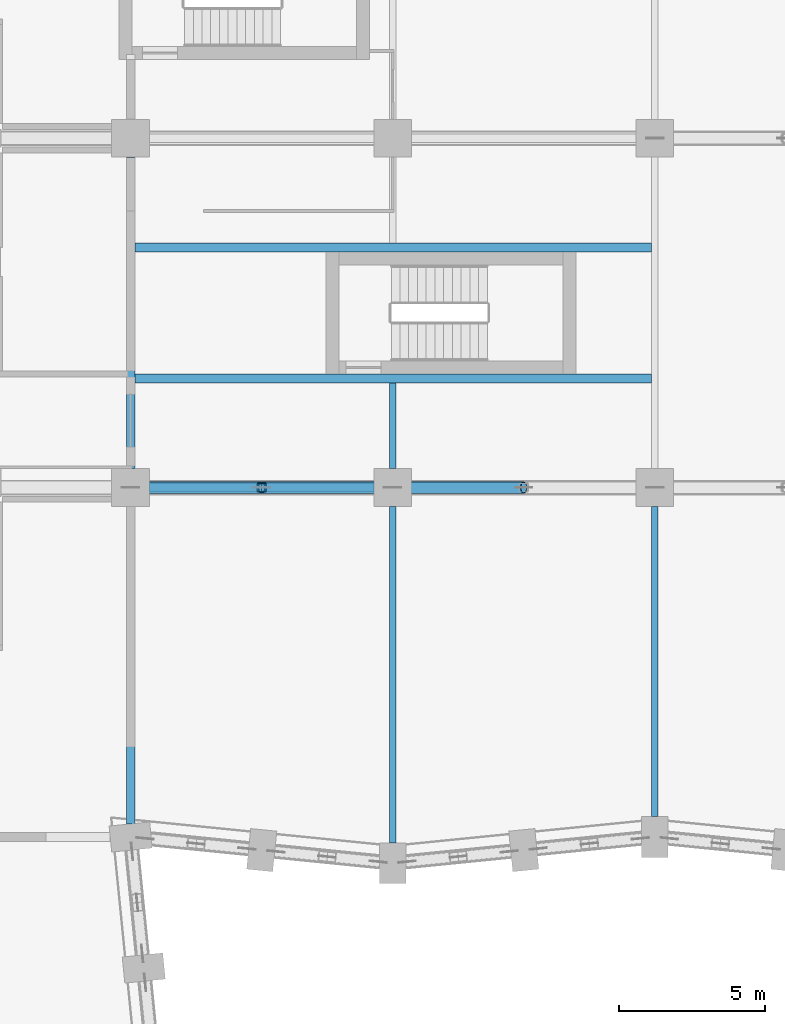
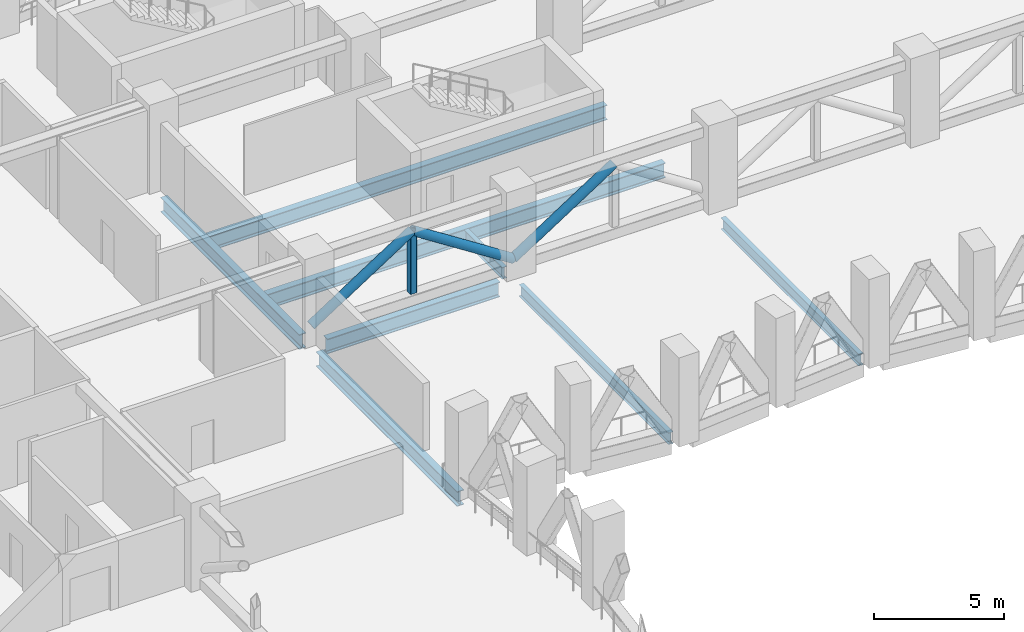
# One storey, part 7 of 25: 8 beams, 4 members.
"""IFC4 building model written with IfcOpenShell, lengths in metres."""

from ifc_helpers import new_model, si_unit, direction, frame, origin, origin_2d, place, context, subcontext, project, spatial, hollow_rectangle, hollow_circle, i_section, extrude, material, material_profile, profile_set, type_object, element, save


model = new_model("IFC4")

# Units and contexts
model_context = context("Model", 3, precision=1e-05, world=origin(), true_north=direction((0.0, 1.0)))
body_context = subcontext(model_context, "Body", "Model", "MODEL_VIEW")
ifc_project = project(units=[si_unit("LENGTHUNIT", "METRE"), si_unit("AREAUNIT", "SQUARE_METRE"), si_unit("VOLUMEUNIT", "CUBIC_METRE"), si_unit("PLANEANGLEUNIT", "RADIAN"), si_unit("MASSUNIT", "GRAM", prefix="KILO")], contexts=[model_context])

# Site, building, storey
site_placement = place(None, origin())
site = spatial("IfcSite", under=ifc_project, at=site_placement, CompositionType="ELEMENT")
building_placement = place(site_placement, origin())
building = spatial("IfcBuilding", under=site, at=building_placement, Name="Brondeck Convention Tower", CompositionType="ELEMENT")
storey_placement = place(building_placement, frame((0.0, 0.0, 84.300048828125)))
storey = spatial("IfcBuildingStorey", under=building, at=storey_placement, Name="L19", CompositionType="ELEMENT", Elevation=84.300048828125)

# Beams
ifc_material_1 = material(Name="Steel S355", Category="steel")
ifc_material_profile_1 = material_profile(ifc_material_1, i_section(OverallWidth=0.2099609375, OverallDepth=0.550048828125, WebThickness=0.010986328125, FlangeThickness=0.01708984375, FilletRadius=0.02392578125, at=origin_2d()), Name="IPE 550")
ifc_profile_set_1 = profile_set([ifc_material_profile_1], Name="Steel S355")
beam_type_1 = type_object("IfcBeamType", Name="Floor beam IPE 550", PredefinedType="BEAM", material=ifc_profile_set_1)
beam_1_placement = place(storey_placement, frame((45.0, 26.800048828125, -0.574951171875), z_axis=(0.0, 1.0, 0.0), x_axis=(-1.0, 0.0, 0.0)))
element("IfcBeam", 1, at=beam_1_placement, inside=storey, type_object=beam_type_1, Name="STR-FB-L19-001", PredefinedType="BEAM", context=body_context, shape_type="SweptSolid", body=[
    extrude(i_section(OverallWidth=0.2099609375, OverallDepth=0.550048828125, WebThickness=0.010986328125, FlangeThickness=0.01708984375, FilletRadius=0.02392578125, at=origin_2d()), origin(), (0.0, 0.0, 1.0), 11.550048828125),
])
beam_2_placement = place(storey_placement, frame((54.0, 27.699951171875, -0.574951171875), z_axis=(0.0, 1.0, 0.0), x_axis=(-1.0, 0.0, 0.0)))
element("IfcBeam", 2, at=beam_2_placement, inside=storey, type_object=beam_type_1, Name="STR-FB-L19-003", PredefinedType="BEAM", context=body_context, shape_type="SweptSolid", body=[
    extrude(i_section(OverallWidth=0.2099609375, OverallDepth=0.550048828125, WebThickness=0.010986328125, FlangeThickness=0.01708984375, FilletRadius=0.02392578125, at=origin_2d()), origin(), (0.0, 0.0, 1.0), 10.650146484375),
])
beam_3_placement = place(storey_placement, frame((45.0, 39.64990234375, -0.574951171875), z_axis=(0.0, 1.0, 0.0), x_axis=(-1.0, 0.0, 0.0)))
element("IfcBeam", 3, at=beam_3_placement, inside=storey, type_object=beam_type_1, Name="STR-FB-L19-014", PredefinedType="BEAM", context=body_context, shape_type="SweptSolid", body=[
    extrude(i_section(OverallWidth=0.2099609375, OverallDepth=0.550048828125, WebThickness=0.010986328125, FlangeThickness=0.01708984375, FilletRadius=0.02392578125, at=origin_2d()), origin(), (0.0, 0.0, 1.0), 2.9501953125),
])
ifc_material_profile_2 = material_profile(ifc_material_1, i_section(OverallWidth=0.300048828125, OverallDepth=0.699951171875, WebThickness=0.01708984375, FlangeThickness=0.031982421875, FilletRadius=0.027099609375, at=origin_2d()), Name="HEB 700")
ifc_profile_set_2 = profile_set([ifc_material_profile_2], Name="Steel S355")
beam_type_2 = type_object("IfcBeamType", Name="Girder HEB 700", PredefinedType="BEAM", material=ifc_profile_set_2)
beam_4_placement = place(storey_placement, frame((36.64990234375, 39.0, -0.650146484375), z_axis=(1.0, 0.0, 0.0), x_axis=(0.0, 1.0, 0.0)))
element("IfcBeam", 4, at=beam_4_placement, inside=storey, type_object=beam_type_2, Name="STR-GR-L19-001", PredefinedType="BEAM", context=body_context, shape_type="SweptSolid", body=[
    extrude(i_section(OverallWidth=0.300048828125, OverallDepth=0.699951171875, WebThickness=0.01708984375, FlangeThickness=0.031982421875, FilletRadius=0.027099609375, at=origin_2d()), origin(), (0.0, 0.0, 1.0), 7.7001953125),
])
beam_5_placement = place(storey_placement, frame((36.0, 27.4521484375, -0.650146484375), z_axis=(0.0, 1.0, 0.0), x_axis=(-1.0, 0.0, 0.0)))
element("IfcBeam", 5, at=beam_5_placement, inside=storey, type_object=beam_type_2, Name="STR-GR-L19-009", PredefinedType="BEAM", context=body_context, shape_type="SweptSolid", body=[
    extrude(i_section(OverallWidth=0.300048828125, OverallDepth=0.699951171875, WebThickness=0.01708984375, FlangeThickness=0.031982421875, FilletRadius=0.027099609375, at=origin_2d()), origin(), (0.0, 0.0, 1.0), 10.89794921875),
])
beam_6_placement = place(storey_placement, frame((36.0, 39.64990234375, -0.650146484375), z_axis=(0.0, 1.0, 0.0), x_axis=(-1.0, 0.0, 0.0)))
element("IfcBeam", 6, at=beam_6_placement, inside=storey, type_object=beam_type_2, Name="STR-GR-L19-010", PredefinedType="BEAM", context=body_context, shape_type="SweptSolid", body=[
    extrude(i_section(OverallWidth=0.300048828125, OverallDepth=0.699951171875, WebThickness=0.01708984375, FlangeThickness=0.031982421875, FilletRadius=0.027099609375, at=origin_2d()), origin(), (0.0, 0.0, 1.0), 10.7001953125),
])
for number, where, z_axis, x_axis, name in (
    (7, (36.14990234375, 42.75, -0.650146484375), (1.0, 0.0, 0.0), (0.0, 1.0, 0.0), "STR-GR-L19-024"),
    (8, (36.14990234375, 47.25, -0.650146484375), (1.0, 0.0, 0.0), (0.0, 1.0, 0.0), "STR-GR-L19-025"),
):
    element("IfcBeam", number, at=place(storey_placement, frame(where, z_axis=z_axis, x_axis=x_axis)), inside=storey, type_object=beam_type_2, Name=name, PredefinedType="BEAM", context=body_context, shape_type="SweptSolid", body=[
        extrude(i_section(OverallWidth=0.300048828125, OverallDepth=0.699951171875, WebThickness=0.01708984375, FlangeThickness=0.031982421875, FilletRadius=0.027099609375, at=origin_2d()), origin(), (0.0, 0.0, 1.0), 17.7451171875),
    ])

# Members
ifc_material_2 = material(Name="Steel S460", Category="steel")
ifc_material_profile_3 = material_profile(ifc_material_2, hollow_circle(Radius=0.203125, WallThickness=0.02490234375, at=origin_2d()), Name="CHS 406.4x25")
ifc_profile_set_3 = profile_set([ifc_material_profile_3], Name="Steel S460")
member_type_1 = type_object("IfcMemberType", Name="Truss diagonal CHS 406.4x25", PredefinedType="BRACE", material=ifc_profile_set_3)
for number, where, z_axis, x_axis, name in (
    (9, (36.0, 39.0, 0.5), (0.84057934116, 0.0, 0.541688444786), (0.0, 1.0, 0.0), "Outrigger truss OT-19-A1 diagonal"),
    (10, (40.5, 39.0, 3.39990234375), (0.84057934116, 0.0, -0.541688444786), (0.0, 1.0, 0.0), "Outrigger truss OT-19-A1 diagonal"),
    (11, (45.0, 39.0, 0.5), (0.84057934116, 0.0, 0.541688444786), (0.0, 1.0, 0.0), "Outrigger truss OT-19-A1 diagonal"),
):
    element("IfcMember", number, at=place(storey_placement, frame(where, z_axis=z_axis, x_axis=x_axis)), inside=storey, type_object=member_type_1, Name=name, PredefinedType="BRACE", context=body_context, shape_type="SweptSolid", body=[
        extrude(hollow_circle(Radius=0.203125, WallThickness=0.02490234375, at=origin_2d()), origin(), (0.0, 0.0, 1.0), 5.353515625),
    ])
ifc_material_profile_4 = material_profile(ifc_material_2, hollow_rectangle(XDim=0.300048828125, YDim=0.300048828125, WallThickness=0.01611328125, InnerFilletRadius=0.01611328125, OuterFilletRadius=0.031982421875, at=origin_2d()), Name="RHS 300x300x16")
ifc_profile_set_4 = profile_set([ifc_material_profile_4], Name="Steel S460")
member_type_2 = type_object("IfcMemberType", Name="Truss vertical RHS 300x300x16", PredefinedType="STRUT", material=ifc_profile_set_4)
member_placement = place(storey_placement, frame((40.5, 39.0, 0.5), z_axis=(0.0, 0.0, 1.0), x_axis=(1.0, 0.0, 0.0)))
element("IfcMember", 12, at=member_placement, inside=storey, type_object=member_type_2, Name="Outrigger truss OT-19-A1 vertical", PredefinedType="STRUT", context=body_context, shape_type="SweptSolid", body=[
    extrude(hollow_rectangle(XDim=0.300048828125, YDim=0.300048828125, WallThickness=0.01611328125, InnerFilletRadius=0.01611328125, OuterFilletRadius=0.031982421875, at=origin_2d()), origin(), (0.0, 0.0, 1.0), 2.89990234375),
])

save(model, "model.ifc")
